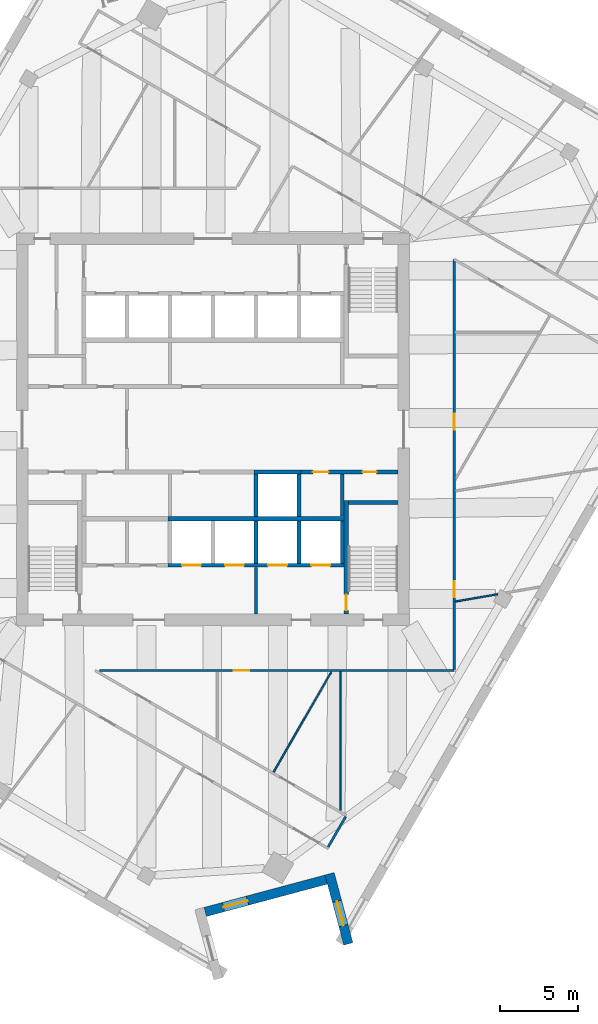
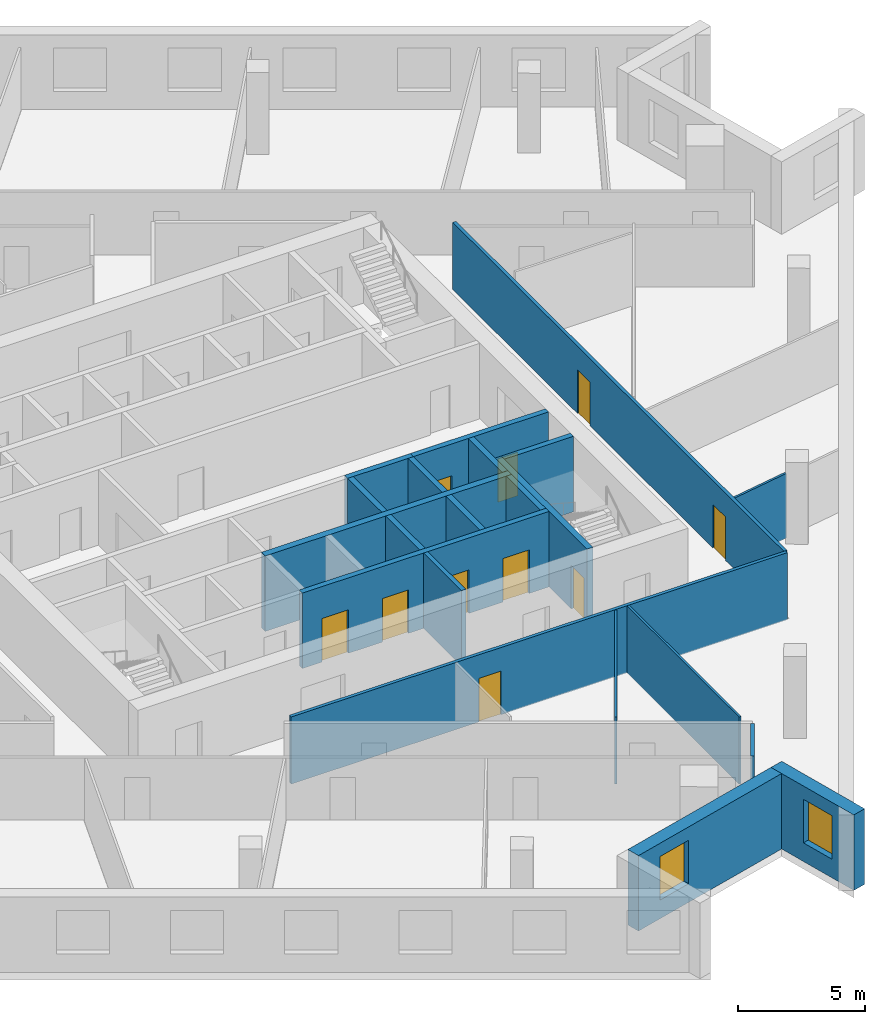
# One storey, part 7 of 13: 21 walls, 10 doors, 2 windows, 12 openings.
"""IFC4 building model written with IfcOpenShell, lengths in metres."""

from ifc_helpers import new_model, si_unit, direction, frame, frame_2d, origin, place, context, subcontext, project, spatial, rectangle, extrude, material, layer, layer_set, type_object, element, fill, save


model = new_model("IFC4")

# Units and contexts
model_context = context("Model", 3, precision=1e-05, world=origin(), true_north=direction((0.0, 1.0)))
body_context = subcontext(model_context, "Body", "Model", "MODEL_VIEW")
ifc_project = project(units=[si_unit("LENGTHUNIT", "METRE"), si_unit("AREAUNIT", "SQUARE_METRE"), si_unit("VOLUMEUNIT", "CUBIC_METRE"), si_unit("PLANEANGLEUNIT", "RADIAN"), si_unit("MASSUNIT", "GRAM", prefix="KILO")], contexts=[model_context])

# Site, building, storey
site_placement = place(None, origin())
site = spatial("IfcSite", under=ifc_project, at=site_placement, CompositionType="ELEMENT")
building_placement = place(site_placement, origin())
building = spatial("IfcBuilding", under=site, at=building_placement, Name="Dilmun Exchange Tower", CompositionType="ELEMENT")
storey_placement = place(building_placement, frame((0.0, 0.0, 266.89990234375)))
storey = spatial("IfcBuildingStorey", under=building, at=storey_placement, Name="L63", CompositionType="ELEMENT", Elevation=266.89990234375)

# Walls
ifc_material_1 = material(Name="Concrete C40/50", Category="concrete")
ifc_layer_1 = layer(ifc_material_1, 0.199951171875)
ifc_layer_set_1 = layer_set([ifc_layer_1], Name="Concrete C40/50")
wall_type_1 = type_object("IfcWallType", Name="Core partition wall 200", PredefinedType="PARTITIONING", material=ifc_layer_set_1)
wall_1_placement = place(storey_placement, frame((2.75, -11.794921875, 0.0), z_axis=(0.0, 0.0, 1.0), x_axis=(0.0, 1.0, 0.0)))
element("IfcWall", 1, at=wall_1_placement, inside=storey, type_object=wall_type_1, Name="L63 core partition wall 01", PredefinedType="PARTITIONING", context=body_context, shape_type="SweptSolid", body=[
    extrude(rectangle(XDim=2.989990234375, YDim=0.199951171875, at=frame_2d((1.4951171875, 0.0))), origin(), (0.0, 0.0, 1.0), 3.64013671875),
])
ifc_layer_2 = layer(ifc_material_1, 0.25)
ifc_layer_set_2 = layer_set([ifc_layer_2], Name="Concrete C40/50")
wall_type_2 = type_object("IfcWallType", Name="Core partition wall 250", PredefinedType="PARTITIONING", material=ifc_layer_set_2)
wall_2_placement = place(storey_placement, frame((8.25, -5.544921875, 0.0), z_axis=(0.0, 0.0, 1.0), x_axis=(0.0, 1.0, 0.0)))
element("IfcWall", 2, at=wall_2_placement, inside=storey, type_object=wall_type_2, Name="L63 core partition wall 08", PredefinedType="PARTITIONING", context=body_context, shape_type="SweptSolid", body=[
    extrude(rectangle(XDim=2.68994140625, YDim=0.25, at=frame_2d((1.344970703125, 0.0))), origin(), (0.0, 0.0, 1.0), 3.64013671875),
])

# Wall, openings, doors
wall_3_placement = place(storey_placement, frame((5.6298828125, -2.72509765625, 0.0), z_axis=(0.0, 0.0, 1.0), x_axis=(1.0, 0.0, 0.0)))
wall_3 = element("IfcWall", 3, at=wall_3_placement, inside=storey, type_object=wall_type_2, Name="L63 core partition wall 10", PredefinedType="PARTITIONING", context=body_context, shape_type="SweptSolid", body=[
    extrude(rectangle(XDim=6.1650390625, YDim=0.25, at=frame_2d((3.08251953125, 0.0))), origin(), (0.0, 0.0, 1.0), 3.64013671875),
])
opening_1_placement = place(wall_3_placement, frame((0.7451171875, 0.0, 0.0)))
opening_1 = element("IfcOpeningElement", 4, at=opening_1_placement, cuts=wall_3, Name="Opening CD4", PredefinedType="OPENING", context=body_context, shape_type="SweptSolid", body=[
    extrude(rectangle(XDim=1.0, YDim=2.10009765625, at=frame_2d((0.5, 1.050048828125))), frame((0.0, 0.135009765625, 0.0), z_axis=(0.0, -1.0, 0.0), x_axis=(1.0, 0.0, 0.0)), (0.0, 0.0, 1.0), 0.27001953125),
])
opening_2_placement = place(wall_3_placement, frame((3.919921875, 0.0, 0.0)))
opening_2 = element("IfcOpeningElement", 5, at=opening_2_placement, cuts=wall_3, Name="Opening CD6", PredefinedType="OPENING", context=body_context, shape_type="SweptSolid", body=[
    extrude(rectangle(XDim=0.89990234375, YDim=2.10009765625, at=frame_2d((0.449951171875, 1.050048828125))), frame((0.0, 0.135009765625, 0.0), z_axis=(0.0, -1.0, 0.0), x_axis=(1.0, 0.0, 0.0)), (0.0, 0.0, 1.0), 0.27001953125),
])
ifc_material_2 = material(Name="Fire-rated steel door set", Category="steel")
door_type_1 = type_object("IfcDoorType", Name="Core room door 1000x2100", OperationType="SINGLE_SWING_LEFT", PredefinedType="DOOR", material=ifc_material_2)
door_1_placement = place(opening_1_placement, origin())
door_1 = element("IfcDoor", 6, at=door_1_placement, inside=storey, type_object=door_type_1, Name="L63 door Cleaners' store", OperationType="SINGLE_SWING_RIGHT", OverallHeight=2.10009765625, OverallWidth=1.0, PredefinedType="DOOR", context=body_context, shape_type="SweptSolid", body=[
    extrude(rectangle(XDim=1.0, YDim=2.10009765625, at=frame_2d((0.5, 1.050048828125))), frame((0.0, 0.02490234375, 0.0), z_axis=(0.0, -1.0, 0.0), x_axis=(1.0, 0.0, 0.0)), (0.0, 0.0, 1.0), 0.050048828125),
])
fill(opening_1, door_1)
door_type_2 = type_object("IfcDoorType", Name="Core room door 900x2100", OperationType="SINGLE_SWING_LEFT", PredefinedType="DOOR", material=ifc_material_2)
door_2_placement = place(opening_2_placement, origin())
door_2 = element("IfcDoor", 7, at=door_2_placement, inside=storey, type_object=door_type_2, Name="L63 door Comms riser", OperationType="SINGLE_SWING_RIGHT", OverallHeight=2.10009765625, OverallWidth=0.89990234375, PredefinedType="DOOR", context=body_context, shape_type="SweptSolid", body=[
    extrude(rectangle(XDim=0.89990234375, YDim=2.10009765625, at=frame_2d((0.449951171875, 1.050048828125))), frame((0.0, 0.02490234375, 0.0), z_axis=(0.0, -1.0, 0.0), x_axis=(1.0, 0.0, 0.0)), (0.0, 0.0, 1.0), 0.050048828125),
])
fill(opening_2, door_2)

# Wall, opening, door
ifc_material_3 = material(Name="Corridor wall 150")
ifc_layer_3 = layer(ifc_material_3, 0.14990234375)
ifc_layer_set_3 = layer_set([ifc_layer_3], Name="Corridor wall 150")
wall_type_3 = type_object("IfcWallType", Name="Corridor wall 150", PredefinedType="PARTITIONING", material=ifc_layer_set_3)
wall_4_placement = place(storey_placement, frame((-7.239990234375, -15.39990234375, 0.0), z_axis=(0.0, 0.0, 1.0), x_axis=(1.0, 0.0, 0.0)))
wall_4 = element("IfcWall", 8, at=wall_4_placement, inside=storey, type_object=wall_type_3, Name="Corridor wall", PredefinedType="PARTITIONING", context=body_context, shape_type="SweptSolid", body=[
    extrude(rectangle(XDim=22.639892578125, YDim=0.14990234375, at=frame_2d((11.31982421875, 0.0))), origin(), (0.0, 0.0, 1.0), 3.239990234375),
])
opening_3_placement = place(wall_4_placement, frame((8.568359375, 0.0, 0.0)))
opening_3 = element("IfcOpeningElement", 9, at=opening_3_placement, cuts=wall_4, Name="Opening TF62-D11", PredefinedType="OPENING", context=body_context, shape_type="SweptSolid", body=[
    extrude(rectangle(XDim=1.0, YDim=2.10009765625, at=frame_2d((0.5, 1.050048828125))), frame((0.0, 0.0849609375, 0.0), z_axis=(0.0, -1.0, 0.0), x_axis=(1.0, 0.0, 0.0)), (0.0, 0.0, 1.0), 0.169921875),
])
ifc_material_4 = material(Name="Fire door 1000 x 2100")
door_type_3 = type_object("IfcDoorType", Name="Fire door 1000 x 2100", OperationType="NOTDEFINED", PredefinedType="DOOR", material=ifc_material_4)
door_3_placement = place(opening_3_placement, frame((1.0, 0.0, 0.0), z_axis=(0.0, 0.0, 1.0), x_axis=(-1.0, 0.0, 0.0)))
door_3 = element("IfcDoor", 10, at=door_3_placement, inside=storey, type_object=door_type_3, Name="Door TF62-D11", OperationType="SINGLE_SWING_RIGHT", OverallHeight=2.10009765625, OverallWidth=1.0, PredefinedType="DOOR", context=body_context, shape_type="SweptSolid", body=[
    extrude(rectangle(XDim=1.0, YDim=2.10009765625, at=frame_2d((0.5, 1.050048828125))), frame((0.0, 0.02490234375, 0.0), z_axis=(0.0, -1.0, 0.0), x_axis=(1.0, 0.0, 0.0)), (0.0, 0.0, 1.0), 0.050048828125),
])
fill(opening_3, door_3)

# Wall
wall_5_placement = place(storey_placement, frame((7.349609375, -26.669921875, 0.0), z_axis=(0.0, 0.0, 1.0), x_axis=(0.499919672301, 0.866071776036, 0.0)))
element("IfcWall", 11, at=wall_5_placement, inside=storey, type_object=wall_type_3, Name="Corridor wall", PredefinedType="PARTITIONING", context=body_context, shape_type="SweptSolid", body=[
    extrude(rectangle(XDim=2.250244140625, YDim=0.14990234375, at=frame_2d((1.125, 0.0))), origin(), (0.0, 0.0, 1.0), 3.0400390625),
])

# Wall, openings, doors
wall_6_placement = place(storey_placement, frame((15.39990234375, -15.324951171875, 0.0), z_axis=(0.0, 0.0, 1.0), x_axis=(0.0, 1.0, 0.0)))
wall_6 = element("IfcWall", 12, at=wall_6_placement, inside=storey, type_object=wall_type_3, Name="Corridor wall", PredefinedType="PARTITIONING", context=body_context, shape_type="SweptSolid", body=[
    extrude(rectangle(XDim=26.175048828125, YDim=0.14990234375, at=frame_2d((13.08740234375, 0.0))), origin(), (0.0, 0.0, 1.0), 3.239990234375),
])
opening_4_placement = place(wall_6_placement, frame((15.31201171875, 0.0, 0.0)))
opening_4 = element("IfcOpeningElement", 13, at=opening_4_placement, cuts=wall_6, Name="Opening TF62-D18", PredefinedType="OPENING", context=body_context, shape_type="SweptSolid", body=[
    extrude(rectangle(XDim=1.0, YDim=2.10009765625, at=frame_2d((0.5, 1.050048828125))), frame((0.0, 0.0849609375, 0.0), z_axis=(0.0, -1.0, 0.0), x_axis=(1.0, 0.0, 0.0)), (0.0, 0.0, 1.0), 0.169921875),
])
opening_5_placement = place(wall_6_placement, frame((4.618896484375, 0.0, 0.0)))
opening_5 = element("IfcOpeningElement", 14, at=opening_5_placement, cuts=wall_6, Name="Opening TF62-D20", PredefinedType="OPENING", context=body_context, shape_type="SweptSolid", body=[
    extrude(rectangle(XDim=1.0, YDim=2.10009765625, at=frame_2d((0.5, 1.050048828125))), frame((0.0, 0.0849609375, 0.0), z_axis=(0.0, -1.0, 0.0), x_axis=(1.0, 0.0, 0.0)), (0.0, 0.0, 1.0), 0.169921875),
])
door_4_placement = place(opening_4_placement, frame((1.0, 0.0, 0.0), z_axis=(0.0, 0.0, 1.0), x_axis=(-1.0, 0.0, 0.0)))
door_4 = element("IfcDoor", 15, at=door_4_placement, inside=storey, type_object=door_type_3, Name="Door TF62-D18", OperationType="SINGLE_SWING_LEFT", OverallHeight=2.10009765625, OverallWidth=1.0, PredefinedType="DOOR", context=body_context, shape_type="SweptSolid", body=[
    extrude(rectangle(XDim=1.0, YDim=2.10009765625, at=frame_2d((0.5, 1.050048828125))), frame((0.0, 0.02490234375, 0.0), z_axis=(0.0, -1.0, 0.0), x_axis=(1.0, 0.0, 0.0)), (0.0, 0.0, 1.0), 0.050048828125),
])
fill(opening_4, door_4)
door_5_placement = place(opening_5_placement, frame((1.0, 0.0, 0.0), z_axis=(0.0, 0.0, 1.0), x_axis=(-1.0, 0.0, 0.0)))
door_5 = element("IfcDoor", 16, at=door_5_placement, inside=storey, type_object=door_type_3, Name="Door TF62-D20", OperationType="SINGLE_SWING_LEFT", OverallHeight=2.10009765625, OverallWidth=1.0, PredefinedType="DOOR", context=body_context, shape_type="SweptSolid", body=[
    extrude(rectangle(XDim=1.0, YDim=2.10009765625, at=frame_2d((0.5, 1.050048828125))), frame((0.0, 0.02490234375, 0.0), z_axis=(0.0, -1.0, 0.0), x_axis=(1.0, 0.0, 0.0)), (0.0, 0.0, 1.0), 0.050048828125),
])
fill(opening_5, door_5)

# Walls
ifc_layer_4 = layer(ifc_material_1, 0.300048828125)
ifc_layer_set_4 = layer_set([ifc_layer_4], Name="Concrete C40/50")
wall_type_4 = type_object("IfcWallType", Name="Lift shaft shared wall 300", PredefinedType="SOLIDWALL", material=ifc_layer_set_4)
wall_7_placement = place(storey_placement, frame((-2.875, -5.699951171875, 0.0), z_axis=(0.0, 0.0, 1.0), x_axis=(1.0, 0.0, 0.0)))
element("IfcWall", 17, at=wall_7_placement, inside=storey, type_object=wall_type_4, Name="L63 lift shaft rear wall S", PredefinedType="SOLIDWALL", context=body_context, shape_type="SweptSolid", body=[
    extrude(rectangle(XDim=11.25, YDim=0.300048828125, at=frame_2d((5.625, 0.0))), origin(), (0.0, 0.0, 1.0), 3.64013671875),
])
ifc_layer_5 = layer(ifc_material_1, 0.25)
ifc_layer_set_5 = layer_set([ifc_layer_5], Name="Concrete C40/50")
wall_type_5 = type_object("IfcWallType", Name="Lift shaft wall 250", PredefinedType="SOLIDWALL", material=ifc_layer_set_5)
wall_8_placement = place(storey_placement, frame((2.625, -2.72509765625, 0.0), z_axis=(0.0, 0.0, 1.0), x_axis=(1.0, 0.0, 0.0)))
element("IfcWall", 18, at=wall_8_placement, inside=storey, type_object=wall_type_5, Name="L63 lift shaft front wall S1", PredefinedType="SOLIDWALL", context=body_context, shape_type="SweptSolid", body=[
    extrude(rectangle(XDim=3.0, YDim=0.25, at=frame_2d((1.5, 0.0))), origin(), (0.0, 0.0, 1.0), 3.64013671875),
])
for number, where, z_axis, x_axis, name in (
    (19, (2.75, -5.550048828125, 0.0), (0.0, 0.0, 1.0), (0.0, 1.0, 0.0), "L63 lift shaft divider S14"),
    (20, (5.5, -5.550048828125, 0.0), (0.0, 0.0, 1.0), (0.0, 1.0, 0.0), "L63 lift shaft divider S15"),
):
    element("IfcWall", number, at=place(storey_placement, frame(where, z_axis=z_axis, x_axis=x_axis)), inside=storey, type_object=wall_type_5, Name=name, PredefinedType="SOLIDWALL", context=body_context, shape_type="SweptSolid", body=[
        extrude(rectangle(XDim=2.699951171875, YDim=0.25, at=frame_2d((1.35009765625, 0.0))), origin(), (0.0, 0.0, 1.0), 3.64013671875),
    ])

# Wall, openings, doors
wall_9_placement = place(storey_placement, frame((-2.875, -8.675048828125, 0.0), z_axis=(0.0, 0.0, 1.0), x_axis=(1.0, 0.0, 0.0)))
wall_9 = element("IfcWall", 21, at=wall_9_placement, inside=storey, type_object=wall_type_5, Name="L63 lift shaft front wall S2", PredefinedType="SOLIDWALL", context=body_context, shape_type="SweptSolid", body=[
    extrude(rectangle(XDim=11.25, YDim=0.25, at=frame_2d((5.625, 0.0))), origin(), (0.0, 0.0, 1.0), 3.64013671875),
])
opening_6_placement = place(wall_9_placement, frame((0.89990234375, 0.0, 0.0)))
opening_6 = element("IfcOpeningElement", 22, at=opening_6_placement, cuts=wall_9, Name="Opening LD", PredefinedType="OPENING", context=body_context, shape_type="SweptSolid", body=[
    extrude(rectangle(XDim=1.199951171875, YDim=2.10009765625, at=frame_2d((0.60009765625, 1.050048828125))), frame((0.0, 0.135009765625, 0.0), z_axis=(0.0, -1.0, 0.0), x_axis=(1.0, 0.0, 0.0)), (0.0, 0.0, 1.0), 0.27001953125),
])
opening_7_placement = place(wall_9_placement, frame((3.64990234375, 0.0, 0.0)))
opening_7 = element("IfcOpeningElement", 23, at=opening_7_placement, cuts=wall_9, Name="Opening LD", PredefinedType="OPENING", context=body_context, shape_type="SweptSolid", body=[
    extrude(rectangle(XDim=1.199951171875, YDim=2.10009765625, at=frame_2d((0.60009765625, 1.050048828125))), frame((0.0, 0.135009765625, 0.0), z_axis=(0.0, -1.0, 0.0), x_axis=(1.0, 0.0, 0.0)), (0.0, 0.0, 1.0), 0.27001953125),
])
opening_8_placement = place(wall_9_placement, frame((6.39990234375, 0.0, 0.0)))
opening_8 = element("IfcOpeningElement", 24, at=opening_8_placement, cuts=wall_9, Name="Opening LD", PredefinedType="OPENING", context=body_context, shape_type="SweptSolid", body=[
    extrude(rectangle(XDim=1.199951171875, YDim=2.10009765625, at=frame_2d((0.60009765625, 1.050048828125))), frame((0.0, 0.135009765625, 0.0), z_axis=(0.0, -1.0, 0.0), x_axis=(1.0, 0.0, 0.0)), (0.0, 0.0, 1.0), 0.27001953125),
])
opening_9_placement = place(wall_9_placement, frame((9.14990234375, 0.0, 0.0)))
opening_9 = element("IfcOpeningElement", 25, at=opening_9_placement, cuts=wall_9, Name="Opening LD", PredefinedType="OPENING", context=body_context, shape_type="SweptSolid", body=[
    extrude(rectangle(XDim=1.199951171875, YDim=2.10009765625, at=frame_2d((0.60009765625, 1.050048828125))), frame((0.0, 0.135009765625, 0.0), z_axis=(0.0, -1.0, 0.0), x_axis=(1.0, 0.0, 0.0)), (0.0, 0.0, 1.0), 0.27001953125),
])
door_type_4 = type_object("IfcDoorType", Name="Lift landing door 1200x2100", OperationType="DOUBLE_DOOR_SLIDING", PredefinedType="DOOR", material=ifc_material_2)
door_6_placement = place(opening_6_placement, origin())
door_6 = element("IfcDoor", 26, at=door_6_placement, inside=storey, type_object=door_type_4, Name="L63 landing door SV1", OperationType="DOUBLE_DOOR_SLIDING", OverallHeight=2.10009765625, OverallWidth=1.199951171875, PredefinedType="DOOR", context=body_context, shape_type="SweptSolid", body=[
    extrude(rectangle(XDim=1.199951171875, YDim=2.10009765625, at=frame_2d((0.60009765625, 1.050048828125))), frame((0.0, 0.02490234375, 0.0), z_axis=(0.0, -1.0, 0.0), x_axis=(1.0, 0.0, 0.0)), (0.0, 0.0, 1.0), 0.050048828125),
])
fill(opening_6, door_6)
door_7_placement = place(opening_7_placement, origin())
door_7 = element("IfcDoor", 27, at=door_7_placement, inside=storey, type_object=door_type_4, Name="L63 landing door SV2", OperationType="DOUBLE_DOOR_SLIDING", OverallHeight=2.10009765625, OverallWidth=1.199951171875, PredefinedType="DOOR", context=body_context, shape_type="SweptSolid", body=[
    extrude(rectangle(XDim=1.199951171875, YDim=2.10009765625, at=frame_2d((0.60009765625, 1.050048828125))), frame((0.0, 0.02490234375, 0.0), z_axis=(0.0, -1.0, 0.0), x_axis=(1.0, 0.0, 0.0)), (0.0, 0.0, 1.0), 0.050048828125),
])
fill(opening_7, door_7)
door_8_placement = place(opening_8_placement, origin())
door_8 = element("IfcDoor", 28, at=door_8_placement, inside=storey, type_object=door_type_4, Name="L63 landing door FF1", OperationType="DOUBLE_DOOR_SLIDING", OverallHeight=2.10009765625, OverallWidth=1.199951171875, PredefinedType="DOOR", context=body_context, shape_type="SweptSolid", body=[
    extrude(rectangle(XDim=1.199951171875, YDim=2.10009765625, at=frame_2d((0.60009765625, 1.050048828125))), frame((0.0, 0.02490234375, 0.0), z_axis=(0.0, -1.0, 0.0), x_axis=(1.0, 0.0, 0.0)), (0.0, 0.0, 1.0), 0.050048828125),
])
fill(opening_8, door_8)
door_9_placement = place(opening_9_placement, origin())
door_9 = element("IfcDoor", 29, at=door_9_placement, inside=storey, type_object=door_type_4, Name="L63 landing door FF2", OperationType="DOUBLE_DOOR_SLIDING", OverallHeight=2.10009765625, OverallWidth=1.199951171875, PredefinedType="DOOR", context=body_context, shape_type="SweptSolid", body=[
    extrude(rectangle(XDim=1.199951171875, YDim=2.10009765625, at=frame_2d((0.60009765625, 1.050048828125))), frame((0.0, 0.02490234375, 0.0), z_axis=(0.0, -1.0, 0.0), x_axis=(1.0, 0.0, 0.0)), (0.0, 0.0, 1.0), 0.050048828125),
])
fill(opening_9, door_9)

# Walls
for number, where, z_axis, x_axis, name in (
    (30, (2.75, -8.550048828125, 0.0), (0.0, 0.0, 1.0), (0.0, 1.0, 0.0), "L63 lift shaft divider S24"),
    (31, (5.5, -8.550048828125, 0.0), (0.0, 0.0, 1.0), (0.0, 1.0, 0.0), "L63 lift shaft divider S25"),
    (32, (8.25, -8.550048828125, 0.0), (0.0, 0.0, 1.0), (0.0, 1.0, 0.0), "L63 lift shaft divider S26"),
):
    element("IfcWall", number, at=place(storey_placement, frame(where, z_axis=z_axis, x_axis=x_axis)), inside=storey, type_object=wall_type_5, Name=name, PredefinedType="SOLIDWALL", context=body_context, shape_type="SweptSolid", body=[
        extrude(rectangle(XDim=2.699951171875, YDim=0.25, at=frame_2d((1.35009765625, 0.0))), origin(), (0.0, 0.0, 1.0), 3.64013671875),
    ])
ifc_material_5 = material(Name="Partition 100")
ifc_layer_6 = layer(ifc_material_5, 0.10009765625)
ifc_layer_set_6 = layer_set([ifc_layer_6], Name="Partition 100")
wall_type_6 = type_object("IfcWallType", Name="Partition 100", PredefinedType="PARTITIONING", material=ifc_layer_set_6)
wall_10_placement = place(storey_placement, frame((3.862548828125, -21.885009765625, 0.0), z_axis=(0.0, 0.0, 1.0), x_axis=(0.500038702166, 0.866003057926, 0.0)))
element("IfcWall", 33, at=wall_10_placement, inside=storey, type_object=wall_type_6, Name="Partition", PredefinedType="PARTITIONING", context=body_context, shape_type="SweptSolid", body=[
    extrude(rectangle(XDim=7.373046875, YDim=0.10009765625, at=frame_2d((3.6865234375, 0.0))), origin(), (0.0, 0.0, 1.0), 3.239990234375),
])
wall_11_placement = place(storey_placement, frame((8.135009765625, -24.322509765625, 0.0), z_axis=(0.0, 0.0, 1.0), x_axis=(0.0, 1.0, 0.0)))
element("IfcWall", 34, at=wall_11_placement, inside=storey, type_object=wall_type_6, Name="Partition", PredefinedType="PARTITIONING", context=body_context, shape_type="SweptSolid", body=[
    extrude(rectangle(XDim=8.847412109375, YDim=0.10009765625, at=frame_2d((4.423828125, 0.0))), origin(), (0.0, 0.0, 1.0), 3.239990234375),
])
wall_12_placement = place(storey_placement, frame((15.4833984375, -10.99169921875, 0.0), z_axis=(0.0, 0.0, 1.0), x_axis=(0.98545132529, 0.169957893267, 0.0)))
element("IfcWall", 35, at=wall_12_placement, inside=storey, type_object=wall_type_6, Name="Partition", PredefinedType="PARTITIONING", context=body_context, shape_type="SweptSolid", body=[
    extrude(rectangle(XDim=2.726318359375, YDim=0.10009765625, at=frame_2d((1.36328125, 0.0))), origin(), (0.0, 0.0, 1.0), 3.1201171875),
])

# Wall, opening, window
ifc_material_6 = material(Name="Precast concrete C50/60", Category="concrete")
ifc_layer_7 = layer(ifc_material_6, 0.60009765625)
ifc_layer_set_7 = layer_set([ifc_layer_7], Name="Precast concrete C50/60")
wall_type_7 = type_object("IfcWallType", Name="Precast stone-clad wall 600", PredefinedType="STANDARD", material=ifc_layer_set_7)
wall_13_placement = place(storey_placement, frame((-0.496337890625, -30.814453125, 0.0), z_axis=(0.0, 0.0, 1.0), x_axis=(0.965926801599, 0.258815405168, 0.0)))
wall_13 = element("IfcWall", 36, at=wall_13_placement, inside=storey, type_object=wall_type_7, Name="Facade wall L63-09", PredefinedType="STANDARD", context=body_context, shape_type="SweptSolid", body=[
    extrude(rectangle(XDim=8.000244140625, YDim=0.60009765625, at=frame_2d((4.0, 0.0))), origin(), (0.0, 0.0, 1.0), 3.64013671875),
])
opening_10_placement = place(wall_13_placement, frame((1.199951171875, 0.0, 0.89990234375)))
opening_10 = element("IfcOpeningElement", 37, at=opening_10_placement, cuts=wall_13, Name="Opening W160-210", PredefinedType="OPENING", context=body_context, shape_type="SweptSolid", body=[
    extrude(rectangle(XDim=1.60009765625, YDim=2.10009765625, at=frame_2d((0.800048828125, 1.050048828125))), frame((0.0, 0.31005859375, 0.0), z_axis=(0.0, -1.0, 0.0), x_axis=(1.0, 0.0, 0.0)), (0.0, 0.0, 1.0), 0.6201171875),
])
ifc_material_7 = material(Name="Clear low-emissivity glass in aluminium frame", Category="aluminium")
window_type = type_object("IfcWindowType", Name="Punched window 1600 x 2100", PartitioningType="DOUBLE_PANEL_VERTICAL", PredefinedType="WINDOW", material=ifc_material_7)
window_1_placement = place(opening_10_placement, origin())
window_1 = element("IfcWindow", 38, at=window_1_placement, inside=storey, type_object=window_type, Name="Window 10.1", OverallHeight=2.10009765625, OverallWidth=1.60009765625, PartitioningType="SINGLE_PANEL", PredefinedType="WINDOW", context=body_context, shape_type="SweptSolid", body=[
    extrude(rectangle(XDim=1.60009765625, YDim=2.10009765625, at=frame_2d((0.800048828125, 1.050048828125))), frame((0.0, 0.030029296875, 0.0), z_axis=(0.0, -1.0, 0.0), x_axis=(1.0, 0.0, 0.0)), (0.0, 0.0, 1.0), 0.06005859375),
])
fill(opening_10, window_1)

wall_14_placement = place(storey_placement, frame((7.443115234375, -28.376708984375, 0.0), z_axis=(0.0, 0.0, 1.0), x_axis=(0.258872105846, -0.965911607144, 0.0)))
wall_14 = element("IfcWall", 39, at=wall_14_placement, inside=storey, type_object=wall_type_7, Name="Facade wall L63-10", PredefinedType="STANDARD", context=body_context, shape_type="SweptSolid", body=[
    extrude(rectangle(XDim=4.63525390625, YDim=0.60009765625, at=frame_2d((2.317626953125, 0.0))), origin(), (0.0, 0.0, 1.0), 3.64013671875),
])
opening_11_placement = place(wall_14_placement, frame((1.81787109375, 0.0, 0.89990234375)))
opening_11 = element("IfcOpeningElement", 40, at=opening_11_placement, cuts=wall_14, Name="Opening W160-210", PredefinedType="OPENING", context=body_context, shape_type="SweptSolid", body=[
    extrude(rectangle(XDim=1.60009765625, YDim=2.10009765625, at=frame_2d((0.800048828125, 1.050048828125))), frame((0.0, 0.31005859375, 0.0), z_axis=(0.0, -1.0, 0.0), x_axis=(1.0, 0.0, 0.0)), (0.0, 0.0, 1.0), 0.6201171875),
])
window_2_placement = place(opening_11_placement, origin())
window_2 = element("IfcWindow", 41, at=window_2_placement, inside=storey, type_object=window_type, Name="Window 11.1", OverallHeight=2.10009765625, OverallWidth=1.60009765625, PartitioningType="SINGLE_PANEL", PredefinedType="WINDOW", context=body_context, shape_type="SweptSolid", body=[
    extrude(rectangle(XDim=1.60009765625, YDim=2.10009765625, at=frame_2d((0.800048828125, 1.050048828125))), frame((0.0, 0.030029296875, 0.0), z_axis=(0.0, -1.0, 0.0), x_axis=(1.0, 0.0, 0.0)), (0.0, 0.0, 1.0), 0.06005859375),
])
fill(opening_11, window_2)

# Wall
ifc_layer_8 = layer(ifc_material_1, 0.25)
ifc_layer_set_8 = layer_set([ifc_layer_8], Name="Concrete C40/50")
wall_type_8 = type_object("IfcWallType", Name="Stair end wall 250", PredefinedType="SOLIDWALL", material=ifc_layer_set_8)
wall_15_placement = place(storey_placement, frame((8.64990234375, -4.675048828125, 0.0), z_axis=(0.0, 0.0, 1.0), x_axis=(1.0, 0.0, 0.0)))
element("IfcWall", 42, at=wall_15_placement, inside=storey, type_object=wall_type_8, Name="L63 ST3 far wall", PredefinedType="SOLIDWALL", context=body_context, shape_type="SweptSolid", body=[
    extrude(rectangle(XDim=3.150146484375, YDim=0.25, at=frame_2d((1.5751953125, 0.0))), origin(), (0.0, 0.0, 1.0), 3.64013671875),
])

# Wall, opening, door
ifc_layer_9 = layer(ifc_material_1, 0.27490234375)
ifc_layer_set_9 = layer_set([ifc_layer_9], Name="Concrete C40/50")
wall_type_9 = type_object("IfcWallType", Name="Stair wall 275", PredefinedType="SOLIDWALL", material=ifc_layer_set_9)
wall_16_placement = place(storey_placement, frame((8.512451171875, -4.550048828125, 0.0), z_axis=(0.0, 0.0, 1.0), x_axis=(0.0, -1.0, 0.0)))
wall_16 = element("IfcWall", 43, at=wall_16_placement, inside=storey, type_object=wall_type_9, Name="L63 ST3 wall to lift block", PredefinedType="SOLIDWALL", context=body_context, shape_type="SweptSolid", body=[
    extrude(rectangle(XDim=7.25, YDim=0.27490234375, at=frame_2d((3.625, 0.0))), origin(), (0.0, 0.0, 1.0), 3.64013671875),
])
opening_12_placement = place(wall_16_placement, frame((6.0, 0.0, 0.0)))
opening_12 = element("IfcOpeningElement", 44, at=opening_12_placement, cuts=wall_16, Name="Opening CD4", PredefinedType="OPENING", context=body_context, shape_type="SweptSolid", body=[
    extrude(rectangle(XDim=1.0, YDim=2.10009765625, at=frame_2d((0.5, 1.050048828125))), frame((0.0, 0.1474609375, 0.0), z_axis=(0.0, -1.0, 0.0), x_axis=(1.0, 0.0, 0.0)), (0.0, 0.0, 1.0), 0.294921875),
])
door_10_placement = place(opening_12_placement, origin())
door_10 = element("IfcDoor", 45, at=door_10_placement, inside=storey, type_object=door_type_1, Name="L63 door ST3 from lobby", OperationType="SINGLE_SWING_LEFT", OverallHeight=2.10009765625, OverallWidth=1.0, PredefinedType="DOOR", context=body_context, shape_type="SweptSolid", body=[
    extrude(rectangle(XDim=1.0, YDim=2.10009765625, at=frame_2d((0.5, 1.050048828125))), frame((0.0, 0.02490234375, 0.0), z_axis=(0.0, -1.0, 0.0), x_axis=(1.0, 0.0, 0.0)), (0.0, 0.0, 1.0), 0.050048828125),
])
fill(opening_12, door_10)

save(model, "model.ifc")
